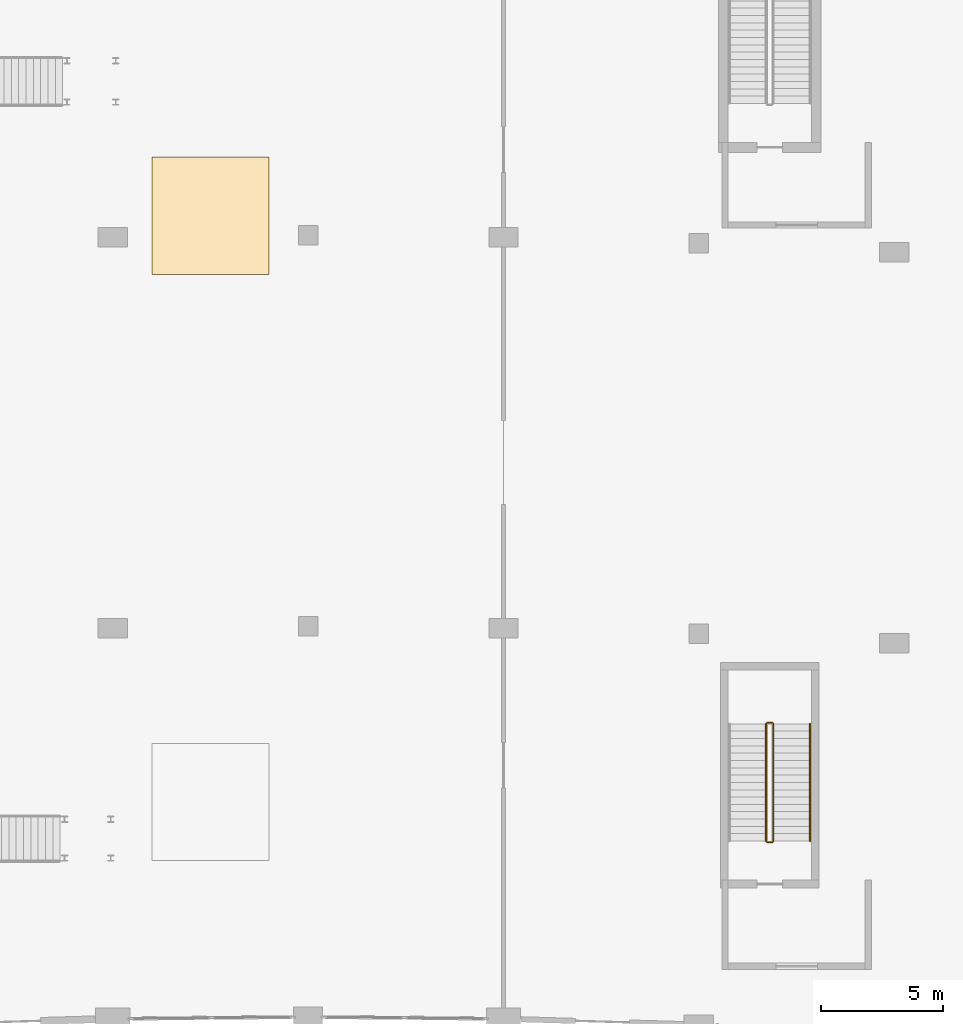
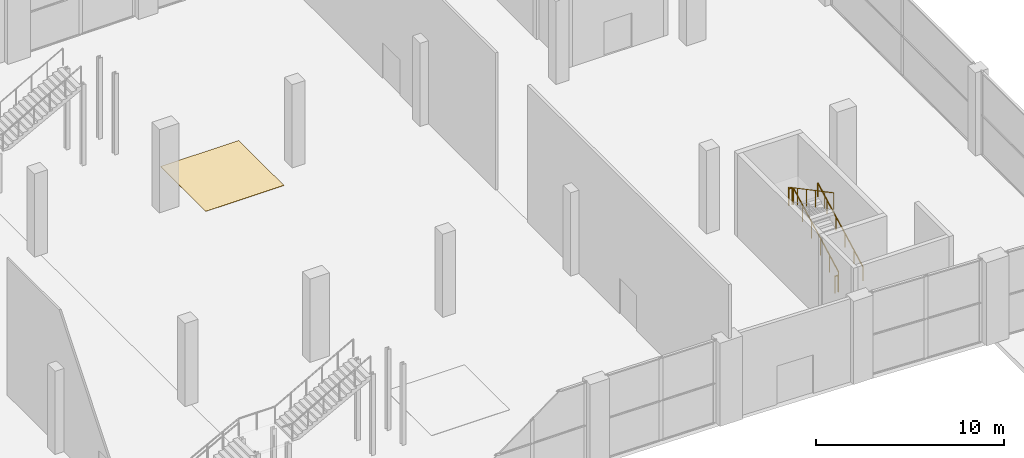
# One storey, part 78 of 86: 5 railings, 1 covering.
"""IFC4 building model written with IfcOpenShell, lengths in metres."""

from ifc_helpers import new_model, si_unit, direction, frame, origin, origin_2d, place, context, subcontext, project, spatial, rectangle, circle, extrude, material, layer, layer_set, type_object, element, save


model = new_model("IFC4")

# Units and contexts
model_context = context("Model", 3, precision=1e-05, world=origin(), true_north=direction((0.0, 1.0)))
body_context = subcontext(model_context, "Body", "Model", "MODEL_VIEW")
ifc_project = project(units=[si_unit("LENGTHUNIT", "METRE"), si_unit("AREAUNIT", "SQUARE_METRE"), si_unit("VOLUMEUNIT", "CUBIC_METRE"), si_unit("PLANEANGLEUNIT", "RADIAN"), si_unit("MASSUNIT", "GRAM", prefix="KILO")], contexts=[model_context])

# Site, building, storey
site_placement = place(None, origin())
site = spatial("IfcSite", under=ifc_project, at=site_placement, CompositionType="ELEMENT")
building_placement = place(site_placement, origin())
building = spatial("IfcBuilding", under=site, at=building_placement, Name="Kenh Van Central Station", CompositionType="ELEMENT")
storey_placement = place(building_placement, origin())
storey = spatial("IfcBuildingStorey", under=building, at=storey_placement, Name="L00", CompositionType="ELEMENT", Elevation=0.0)

# Covering
ifc_material_1 = material(Name="Polished station granite terrazzo", Category="masonry")
ifc_layer = layer(ifc_material_1, 0.02001953125, Name="Polished station granite terrazzo")
ifc_layer_set = layer_set([ifc_layer], Name="Polished station granite terrazzo")
covering_type = type_object("IfcCoveringType", Name="COV-FLR-GRANITE", PredefinedType="FLOORING", material=ifc_layer_set)
covering_placement = place(storey_placement, frame((84.0, 100.0, 0.0), z_axis=(0.0, 0.0, 1.0), x_axis=(1.0, 0.0, 0.0)))
element("IfcCovering", 1, at=covering_placement, inside=storey, type_object=covering_type, Name="L00 granite floor finish 020", PredefinedType="FLOORING", context=body_context, shape_type="SweptSolid", body=[
    extrude(rectangle(XDim=4.800048828125, YDim=4.800048828125, at=origin_2d()), origin(), (0.0, 0.0, 1.0), 0.02001953125),
])

# Railings
ifc_material_2 = material(Name="Champagne anodised aluminium", Category="aluminium")
railing_type_1 = type_object("IfcRailingType", Name="RAIL-CORE-GRD110", PredefinedType="GUARDRAIL", material=ifc_material_2)
railing_1_placement = place(storey_placement, frame((107.050048828125, 74.39990234375, 0.158935546875)))
element("IfcRailing", 2, at=railing_1_placement, inside=storey, type_object=railing_type_1, Name="L00 ST-06 stair guard 1", PredefinedType="GUARDRAIL", context=body_context, shape_type="SweptSolid", body=[
    extrude(circle(Radius=0.02392578125, at=origin_2d()), frame((0.0, 0.0, 1.076171875), z_axis=(0.0, 0.883802130504, 0.467860870469), x_axis=(-1.0, 0.0, 0.0)), (0.0, 0.0, 1.0), 5.43115234375),
    extrude(circle(Radius=0.02099609375, at=origin_2d()), origin(), (0.0, 0.0, 1.0), 1.052001953125),
    extrude(circle(Radius=0.02099609375, at=origin_2d()), frame((0.0, 0.9599609375, 0.50830078125)), (0.0, 0.0, 1.0), 1.052001953125),
    extrude(circle(Radius=0.02099609375, at=origin_2d()), frame((0.0, 1.919921875, 1.016357421875)), (0.0, 0.0, 1.0), 1.052001953125),
    extrude(circle(Radius=0.02099609375, at=origin_2d()), frame((0.0, 2.880126953125, 1.524658203125)), (0.0, 0.0, 1.0), 1.052001953125),
    extrude(circle(Radius=0.02099609375, at=origin_2d()), frame((0.0, 3.840087890625, 2.03271484375)), (0.0, 0.0, 1.0), 1.052001953125),
    extrude(circle(Radius=0.02099609375, at=origin_2d()), frame((0.0, 4.800048828125, 2.541015625)), (0.0, 0.0, 1.0), 1.052001953125),
])
railing_2_placement = place(storey_placement, frame((107.0, 79.25, 2.699951171875)))
element("IfcRailing", 3, at=railing_2_placement, inside=storey, type_object=railing_type_1, Name="L00 ST-06 stair guard 2", PredefinedType="GUARDRAIL", context=body_context, shape_type="SweptSolid", body=[
    extrude(circle(Radius=0.02392578125, at=origin_2d()), frame((0.0, 0.0, 1.076171875), z_axis=(-1.0, 0.0, 0.0), x_axis=(0.0, -1.0, 0.0)), (0.0, 0.0, 1.0), 0.199951171875),
    extrude(circle(Radius=0.02099609375, at=origin_2d()), origin(), (0.0, 0.0, 1.0), 1.052001953125),
    extrude(circle(Radius=0.02099609375, at=origin_2d()), frame((-0.199951171875, 0.0, 0.0)), (0.0, 0.0, 1.0), 1.052001953125),
])
railing_3_placement = place(storey_placement, frame((106.75, 79.199951171875, 2.85888671875)))
element("IfcRailing", 4, at=railing_3_placement, inside=storey, type_object=railing_type_1, Name="L00 ST-06 stair guard 3", PredefinedType="GUARDRAIL", context=body_context, shape_type="SweptSolid", body=[
    extrude(circle(Radius=0.02392578125, at=origin_2d()), frame((0.0, 0.0, 1.076171875), z_axis=(0.0, -0.883802130504, 0.467860870469), x_axis=(1.0, 0.0, 0.0)), (0.0, 0.0, 1.0), 5.43115234375),
    extrude(circle(Radius=0.02099609375, at=origin_2d()), origin(), (0.0, 0.0, 1.0), 1.052001953125),
    extrude(circle(Radius=0.02099609375, at=origin_2d()), frame((0.0, -0.9599609375, 0.50830078125)), (0.0, 0.0, 1.0), 1.052001953125),
    extrude(circle(Radius=0.02099609375, at=origin_2d()), frame((0.0, -1.919921875, 1.016357421875)), (0.0, 0.0, 1.0), 1.052001953125),
    extrude(circle(Radius=0.02099609375, at=origin_2d()), frame((0.0, -2.880126953125, 1.524658203125)), (0.0, 0.0, 1.0), 1.052001953125),
    extrude(circle(Radius=0.02099609375, at=origin_2d()), frame((0.0, -3.840087890625, 2.03271484375)), (0.0, 0.0, 1.0), 1.052001953125),
    extrude(circle(Radius=0.02099609375, at=origin_2d()), frame((0.0, -4.800048828125, 2.541015625)), (0.0, 0.0, 1.0), 1.052001953125),
])
railing_4_placement = place(storey_placement, frame((107.0, 74.35009765625, 0.0)))
element("IfcRailing", 5, at=railing_4_placement, inside=storey, type_object=railing_type_1, Name="L00 ST-06 stair guard 4", PredefinedType="GUARDRAIL", context=body_context, shape_type="SweptSolid", body=[
    extrude(circle(Radius=0.02392578125, at=origin_2d()), frame((0.0, 0.0, 1.076171875), z_axis=(-1.0, 0.0, 0.0), x_axis=(0.0, -1.0, 0.0)), (0.0, 0.0, 1.0), 0.199951171875),
    extrude(circle(Radius=0.02099609375, at=origin_2d()), origin(), (0.0, 0.0, 1.0), 1.052001953125),
    extrude(circle(Radius=0.02099609375, at=origin_2d()), frame((-0.199951171875, 0.0, 0.0)), (0.0, 0.0, 1.0), 1.052001953125),
])
railing_type_2 = type_object("IfcRailingType", Name="RAIL-CORE-HND90", PredefinedType="HANDRAIL", material=ifc_material_2)
railing_5_placement = place(storey_placement, frame((108.550048828125, 74.39990234375, 0.158935546875)))
element("IfcRailing", 6, at=railing_5_placement, inside=storey, type_object=railing_type_2, Name="L00 ST-06 stair handrail 1", PredefinedType="HANDRAIL", context=body_context, shape_type="SweptSolid", body=[
    extrude(circle(Radius=0.02392578125, at=origin_2d()), frame((0.0, 0.0, 0.8759765625), z_axis=(0.0, 0.883802130504, 0.467860870469), x_axis=(-1.0, 0.0, 0.0)), (0.0, 0.0, 1.0), 5.43115234375),
    extrude(circle(Radius=0.02099609375, at=origin_2d()), origin(), (0.0, 0.0, 1.0), 0.851806640625),
    extrude(circle(Radius=0.02099609375, at=origin_2d()), frame((0.0, 0.9599609375, 0.50830078125)), (0.0, 0.0, 1.0), 0.851806640625),
    extrude(circle(Radius=0.02099609375, at=origin_2d()), frame((0.0, 1.919921875, 1.016357421875)), (0.0, 0.0, 1.0), 0.851806640625),
    extrude(circle(Radius=0.02099609375, at=origin_2d()), frame((0.0, 2.880126953125, 1.524658203125)), (0.0, 0.0, 1.0), 0.851806640625),
    extrude(circle(Radius=0.02099609375, at=origin_2d()), frame((0.0, 3.840087890625, 2.03271484375)), (0.0, 0.0, 1.0), 0.851806640625),
    extrude(circle(Radius=0.02099609375, at=origin_2d()), frame((0.0, 4.800048828125, 2.541015625)), (0.0, 0.0, 1.0), 0.851806640625),
])

save(model, "model.ifc")
